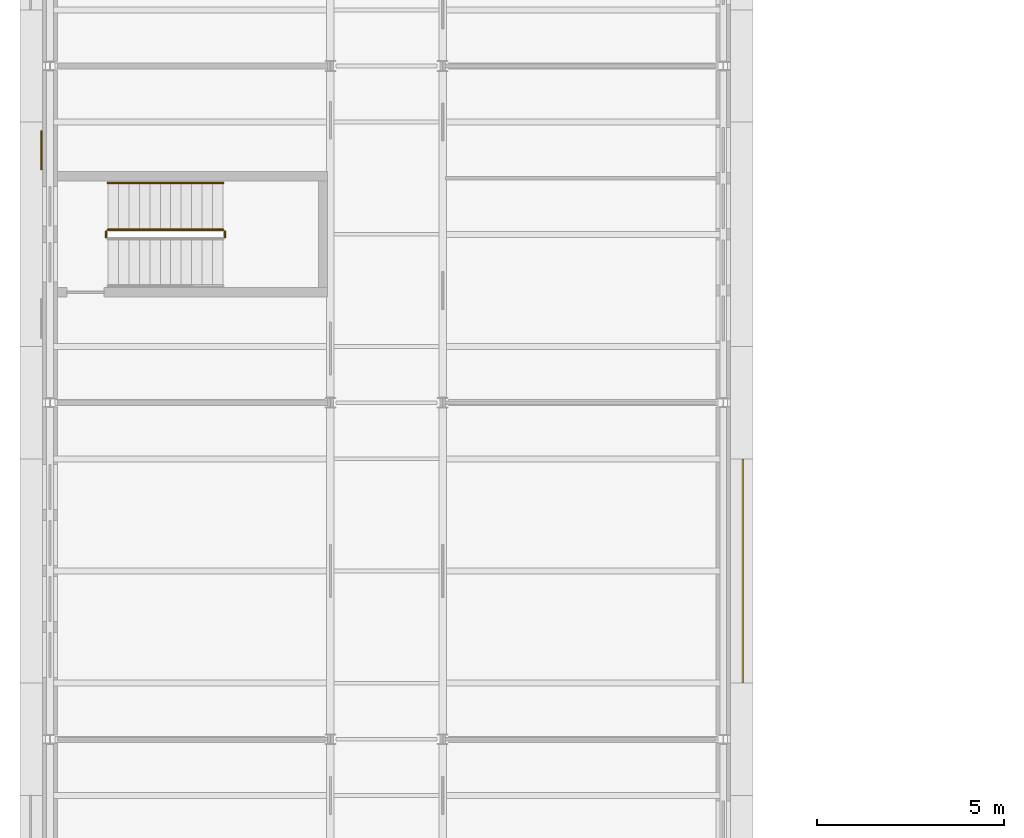
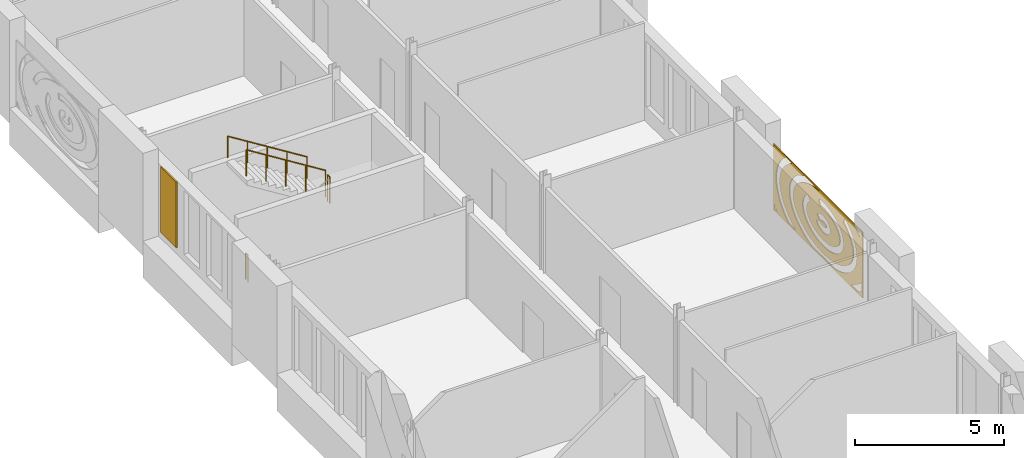
# One storey, part 115 of 121: 4 railings, 2 coverings.
"""IFC4 building model written with IfcOpenShell, lengths in metres."""

from ifc_helpers import new_model, si_unit, direction, frame, origin, origin_2d, place, context, subcontext, project, spatial, polyline, circle, outline, extrude, material, layer, layer_set, type_object, element, save


model = new_model("IFC4")

# Units and contexts
model_context = context("Model", 3, precision=1e-05, world=origin(), true_north=direction((0.0, 1.0)))
body_context = subcontext(model_context, "Body", "Model", "MODEL_VIEW")
ifc_project = project(units=[si_unit("LENGTHUNIT", "METRE"), si_unit("AREAUNIT", "SQUARE_METRE"), si_unit("VOLUMEUNIT", "CUBIC_METRE"), si_unit("PLANEANGLEUNIT", "RADIAN"), si_unit("MASSUNIT", "GRAM", prefix="KILO")], contexts=[model_context])

# Site, building, storey
site_placement = place(None, origin())
site = spatial("IfcSite", under=ifc_project, at=site_placement, CompositionType="ELEMENT")
building_placement = place(site_placement, origin())
building = spatial("IfcBuilding", under=site, at=building_placement, Name="Golden Quay Civic Hall", CompositionType="ELEMENT")
storey_placement = place(building_placement, frame((0.0, 0.0, 18.60009765625)))
storey = spatial("IfcBuildingStorey", under=building, at=storey_placement, Name="L04", CompositionType="ELEMENT", Elevation=18.60009765625)

# Covering
ifc_material_1 = material(Name="Aluminium, golden anodised, perforated", Category="aluminium")
ifc_layer_1 = layer(ifc_material_1, 0.0400390625)
ifc_layer_set_1 = layer_set([ifc_layer_1], Name="Perforated screen panel 6000 x 2700 x 40")
covering_type_1 = type_object("IfcCoveringType", Name="Perforated screen panel 6000 x 2700 x 40", PredefinedType="CLADDING", material=ifc_layer_set_1)
covering_1_placement = place(storey_placement, frame((18.5, 22.5, 1.949951171875), z_axis=(1.0, 0.0, 0.0), x_axis=(0.0, 1.0, 0.0)))
element("IfcCovering", 1, at=covering_1_placement, inside=storey, type_object=covering_type_1, Name="Perforated screen panel 6000 x 2700 x 40 L04 5", PredefinedType="CLADDING", context=body_context, shape_type="SweptSolid", body=[
    extrude(outline(polyline([(-3.0, -1.35009765625), (3.0, -1.35009765625), (3.0, 1.35009765625), (-3.0, 1.35009765625), (-3.0, -1.35009765625)]), holes=[polyline([(-0.14599609375, 0.114013671875), (-0.1875, 0.140625), (-0.248291015625, 0.16259765625), (-0.321533203125, 0.173828125), (-0.372802734375, 0.17431640625), (-0.446533203125, 0.163818359375), (-0.5087890625, 0.142578125), (-0.5517578125, 0.1162109375), (-0.575439453125, 0.088134765625), (-0.577392578125, 0.07763671875), (-0.57177734375, 0.065185546875), (-0.55908203125, 0.050537109375), (-0.53662109375, 0.03271484375), (-0.485107421875, 0.007568359375), (-0.4169921875, -0.009521484375), (-0.36669921875, -0.014404296875), (-0.3154296875, -0.013427734375), (-0.26611328125, -0.006591796875), (-0.22119140625, 0.00537109375), (-0.183349609375, 0.021240234375), (-0.154296875, 0.0390625), (-0.129638671875, 0.063232421875), (-0.120361328125, 0.08154296875), (0.102294921875, -0.019287109375), (0.07421875, -0.07177734375), (0.042236328125, -0.11181640625), (-0.00390625, -0.153564453125), (-0.043701171875, -0.1806640625), (-0.1025390625, -0.210693359375), (-0.176025390625, -0.236083984375), (-0.2216796875, -0.246826171875), (-0.2998046875, -0.25732421875), (-0.372314453125, -0.2587890625), (-0.412109375, -0.25634765625), (-0.49755859375, -0.242919921875), (-0.564453125, -0.223388671875), (-0.599853515625, -0.209716796875), (-0.666015625, -0.174560546875), (-0.705078125, -0.146484375), (-0.7333984375, -0.12109375), (-0.758544921875, -0.093017578125), (-0.780517578125, -0.06201171875), (-0.798583984375, -0.0283203125), (-0.811767578125, 0.008056640625), (-0.821533203125, 0.066162109375), (-0.818359375, 0.123046875), (-0.809326171875, 0.159912109375), (-0.79541015625, 0.195068359375), (-0.777099609375, 0.227294921875), (-0.75537109375, 0.257080078125), (-0.702880859375, 0.30810546875), (-0.6416015625, 0.34912109375), (-0.572998046875, 0.38037109375), (-0.4990234375, 0.402587890625), (-0.460693359375, 0.41015625), (-0.388916015625, 0.41796875), (-0.309326171875, 0.41796875), (-0.262451171875, 0.41357421875), (-0.184814453125, 0.398681640625), (-0.118896484375, 0.37744140625), (-0.075927734375, 0.3583984375), (-0.02001953125, 0.3251953125), (0.018310546875, 0.295166015625), (0.060546875, 0.25048828125), (-0.126220703125, 0.0927734375), (-0.14599609375, 0.114013671875)]), polyline([(-0.282470703125, 0.731689453125), (-0.37158203125, 0.732666015625), (-0.460693359375, 0.7294921875), (-0.548828125, 0.72216796875), (-0.635986328125, 0.710693359375), (-0.720947265625, 0.6953125), (-0.8037109375, 0.676025390625), (-0.883544921875, 0.653076171875), (-0.9599609375, 0.62646484375), (-1.0322265625, 0.596435546875), (-1.100341796875, 0.5634765625), (-1.163330078125, 0.52783203125), (-1.22119140625, 0.48974609375), (-1.273681640625, 0.449462890625), (-1.320068359375, 0.40771484375), (-1.360595703125, 0.364501953125), (-1.394775390625, 0.32080078125), (-1.423095703125, 0.2763671875), (-1.445068359375, 0.231689453125), (-1.46142578125, 0.1875), (-1.471923828125, 0.143310546875), (-1.47705078125, 0.099365234375), (-1.476806640625, 0.055419921875), (-1.470947265625, 0.011474609375), (-1.459716796875, -0.03271484375), (-1.44287109375, -0.0771484375), (-1.419921875, -0.12158203125), (-1.39111328125, -0.166015625), (-1.356201171875, -0.209716796875), (-1.31494140625, -0.252685546875), (-1.267578125, -0.294189453125), (-1.214599609375, -0.334228515625), (-1.15625, -0.372314453125), (-1.092529296875, -0.40771484375), (-1.02392578125, -0.440185546875), (-0.951171875, -0.4697265625), (-0.874267578125, -0.49609375), (-0.794189453125, -0.5185546875), (-0.711181640625, -0.53759765625), (-0.625732421875, -0.552490234375), (-0.53857421875, -0.563232421875), (-0.4501953125, -0.570068359375), (-0.361083984375, -0.57275390625), (-0.27197265625, -0.5712890625), (-0.183349609375, -0.5654296875), (-0.095703125, -0.555419921875), (-0.010009765625, -0.54150390625), (0.07373046875, -0.523681640625), (0.15478515625, -0.501953125), (0.232421875, -0.4765625), (0.306396484375, -0.447998046875), (0.3759765625, -0.416015625), (0.44091796875, -0.381103515625), (0.500732421875, -0.343994140625), (0.55517578125, -0.304443359375), (0.603759765625, -0.26318359375), (0.646484375, -0.220458984375), (0.68310546875, -0.1767578125), (0.71337890625, -0.132568359375), (0.73779296875, -0.088134765625), (0.756103515625, -0.043701171875), (0.768798828125, 0.00048828125), (0.77587890625, 0.04443359375), (0.777587890625, 0.08837890625), (0.773681640625, 0.13232421875), (0.764404296875, 0.176513671875), (0.749755859375, 0.220703125), (0.72900390625, 0.265380859375), (0.702392578125, 0.309814453125), (0.669677734375, 0.353759765625), (0.630615234375, 0.39697265625), (0.585693359375, 0.439208984375), (0.53125, 0.482666015625), (0.683837890625, 0.673583984375), (0.741943359375, 0.627197265625), (0.8017578125, 0.57177734375), (0.855224609375, 0.512939453125), (0.902099609375, 0.45068359375), (0.94189453125, 0.385498046875), (0.974365234375, 0.317626953125), (0.99853515625, 0.247314453125), (1.014404296875, 0.175048828125), (1.021484375, 0.101806640625), (1.019775390625, 0.02783203125), (1.0087890625, -0.04541015625), (0.9892578125, -0.117431640625), (0.9609375, -0.187744140625), (0.9248046875, -0.25537109375), (0.881103515625, -0.320068359375), (0.830322265625, -0.381591796875), (0.765625, -0.4462890625), (0.702392578125, -0.49951171875), (0.640869140625, -0.544189453125), (0.559814453125, -0.5947265625), (0.481201171875, -0.63671875), (0.398193359375, -0.67431640625), (0.311279296875, -0.7080078125), (0.227294921875, -0.7353515625), (0.1279296875, -0.761962890625), (0.0322265625, -0.7822265625), (-0.0654296875, -0.798095703125), (-0.16455078125, -0.80908203125), (-0.264892578125, -0.8154296875), (-0.359619140625, -0.817138671875), (-0.460205078125, -0.814208984375), (-0.56005859375, -0.806884765625), (-0.658935546875, -0.79443359375), (-0.76220703125, -0.776611328125), (-0.851318359375, -0.756103515625), (-0.94384765625, -0.730224609375), (-1.033203125, -0.699951171875), (-1.119140625, -0.665283203125), (-1.2080078125, -0.623046875), (-1.278564453125, -0.583740234375), (-1.351318359375, -0.537109375), (-1.426025390625, -0.480712890625), (-1.48046875, -0.4326171875), (-1.536376953125, -0.374755859375), (-1.585693359375, -0.31396484375), (-1.628173828125, -0.249755859375), (-1.663330078125, -0.182861328125), (-1.690673828125, -0.11328125), (-1.709716796875, -0.041748046875), (-1.72021484375, 0.031494140625), (-1.720703125, 0.1201171875), (-1.71142578125, 0.193115234375), (-1.697509765625, 0.251220703125), (-1.67236328125, 0.322265625), (-1.638916015625, 0.390869140625), (-1.597900390625, 0.456787109375), (-1.5498046875, 0.519287109375), (-1.494873046875, 0.57861328125), (-1.43359375, 0.63427734375), (-1.359619140625, 0.69140625), (-1.287353515625, 0.738525390625), (-1.21044921875, 0.78173828125), (-1.12890625, 0.821044921875), (-1.043701171875, 0.856201171875), (-0.95458984375, 0.886962890625), (-0.8623046875, 0.913330078125), (-0.767578125, 0.935302734375), (-0.670654296875, 0.952880859375), (-0.572021484375, 0.965576171875), (-0.477783203125, 0.973388671875), (-0.377197265625, 0.97705078125), (-0.276611328125, 0.975830078125), (-0.176513671875, 0.97021484375), (-0.0771484375, 0.959716796875), (-0.103271484375, 0.716552734375), (-0.19384765625, 0.726318359375), (-0.282470703125, 0.731689453125)]), polyline([(-1.8857421875, 0.8662109375), (-1.9677734375, 0.805419921875), (-2.04248046875, 0.741943359375), (-2.110107421875, 0.676025390625), (-2.17041015625, 0.6083984375), (-2.222900390625, 0.539306640625), (-2.267822265625, 0.46875), (-2.304931640625, 0.3974609375), (-2.33447265625, 0.32568359375), (-2.356201171875, 0.25341796875), (-2.370361328125, 0.180908203125), (-2.377197265625, 0.1083984375), (-2.376220703125, 0.035888671875), (-2.367919921875, -0.03662109375), (-2.35205078125, -0.109130859375), (-2.32861328125, -0.181396484375), (-2.297607421875, -0.2529296875), (-2.2587890625, -0.32421875), (-2.212158203125, -0.394287109375), (-2.157958984375, -0.46337890625), (-2.09619140625, -0.530517578125), (-2.02685546875, -0.595947265625), (-1.950439453125, -0.65869140625), (-1.8671875, -0.718994140625), (-1.777099609375, -0.776123046875), (-1.68115234375, -0.829833984375), (-1.5791015625, -0.8798828125), (-1.471923828125, -0.92578125), (-1.359619140625, -0.9677734375), (-1.2431640625, -1.00537109375), (-1.12255859375, -1.0380859375), (-0.998779296875, -1.066162109375), (-0.8720703125, -1.08935546875), (-0.7431640625, -1.107421875), (-0.612548828125, -1.120361328125), (-0.480712890625, -1.128173828125), (-0.348388671875, -1.130859375), (-0.216064453125, -1.128173828125), (-0.084228515625, -1.1201171875), (0.04638671875, -1.107177734375), (0.17529296875, -1.0888671875), (0.302001953125, -1.065673828125), (0.42578125, -1.037353515625), (0.546142578125, -1.00439453125), (0.66259765625, -0.966796875), (0.774658203125, -0.9248046875), (0.8818359375, -0.878662109375), (0.9833984375, -0.82861328125), (1.07958984375, -0.774658203125), (1.169189453125, -0.717529296875), (1.25244140625, -0.6572265625), (1.32861328125, -0.59423828125), (1.397705078125, -0.52880859375), (1.45947265625, -0.461669921875), (1.513427734375, -0.392578125), (1.559814453125, -0.322509765625), (1.598388671875, -0.251220703125), (1.62939453125, -0.179443359375), (1.652587890625, -0.107421875), (1.668212890625, -0.034912109375), (1.676513671875, 0.03759765625), (1.677001953125, 0.110107421875), (1.670166015625, 0.1826171875), (1.65576171875, 0.255126953125), (1.6337890625, 0.327392578125), (1.604248046875, 0.3994140625), (1.56689453125, 0.470458984375), (1.521728515625, 0.541015625), (1.468994140625, 0.610107421875), (1.40869140625, 0.677734375), (1.3408203125, 0.743408203125), (1.265625, 0.806884765625), (1.18359375, 0.86767578125), (1.094970703125, 0.92529296875), (1.0, 0.979736328125), (0.899169921875, 1.030517578125), (0.79296875, 1.077392578125), (0.681640625, 1.1201171875), (0.56591796875, 1.158447265625), (0.446044921875, 1.192138671875), (0.322998046875, 1.22119140625), (0.19677734375, 1.245361328125), (0.068115234375, 1.264404296875), (-0.062255859375, 1.2783203125), (-0.19384765625, 1.287109375), (-0.300537109375, 1.2900390625), (0.91650390625, 1.2900390625), (1.00634765625, 1.250244140625), (1.11865234375, 1.193359375), (1.219482421875, 1.1357421875), (1.320068359375, 1.0703125), (1.414306640625, 1.0009765625), (1.501708984375, 0.927490234375), (1.581787109375, 0.85009765625), (1.654541015625, 0.769287109375), (1.71923828125, 0.685302734375), (1.775634765625, 0.597900390625), (1.827880859375, 0.49755859375), (1.862060546875, 0.4150390625), (1.891357421875, 0.3203125), (1.9111328125, 0.22412109375), (1.9208984375, 0.126953125), (1.919921875, 0.0166015625), (1.908447265625, -0.080322265625), (1.88720703125, -0.176513671875), (1.856201171875, -0.270751953125), (1.82080078125, -0.35302734375), (1.7666015625, -0.45263671875), (1.708984375, -0.53955078125), (1.642822265625, -0.623291015625), (1.56884765625, -0.70361328125), (1.49365234375, -0.774658203125), (1.39892578125, -0.852783203125), (1.3037109375, -0.921630859375), (1.2021484375, -0.986083984375), (1.094482421875, -1.04638671875), (0.981201171875, -1.101806640625), (0.863037109375, -1.152587890625), (0.740234375, -1.198486328125), (0.61328125, -1.239501953125), (0.4169921875, -1.2900390625), (-1.1171875, -1.2900390625), (-1.31005859375, -1.240478515625), (-1.437255859375, -1.19970703125), (-1.56005859375, -1.15380859375), (-1.678466796875, -1.103271484375), (-1.791748046875, -1.0478515625), (-1.8994140625, -0.98779296875), (-2.001220703125, -0.92333984375), (-2.0966796875, -0.854736328125), (-2.185302734375, -0.781982421875), (-2.26708984375, -0.705322265625), (-2.341064453125, -0.625244140625), (-2.4130859375, -0.53369140625), (-2.46533203125, -0.454833984375), (-2.514892578125, -0.365234375), (-2.555419921875, -0.273193359375), (-2.58642578125, -0.1787109375), (-2.610107421875, -0.070556640625), (-2.62060546875, 0.02685546875), (-2.62109375, 0.12451171875), (-2.611328125, 0.2216796875), (-2.592041015625, 0.318115234375), (-2.56298828125, 0.41259765625), (-2.5244140625, 0.50537109375), (-2.476806640625, 0.595703125), (-2.426513671875, 0.6748046875), (-2.356201171875, 0.767333984375), (-2.28369140625, 0.848388671875), (-2.203857421875, 0.925537109375), (-2.11669921875, 0.999267578125), (-2.0224609375, 1.068603515625), (-1.922119140625, 1.134033203125), (-1.8212890625, 1.19189453125), (-1.69970703125, 0.97998046875), (-1.79736328125, 0.923828125), (-1.8857421875, 0.8662109375)]), polyline([(-2.93994140625, -0.73876953125), (-2.83935546875, -0.84619140625), (-2.750732421875, -0.927490234375), (-2.65478515625, -1.00634765625), (-2.55126953125, -1.081787109375), (-2.44091796875, -1.154052734375), (-2.32373046875, -1.22265625), (-2.19482421875, -1.2900390625), (-2.6796875, -1.2900390625), (-2.69287109375, -1.281005859375), (-2.806884765625, -1.197509765625), (-2.93994140625, -1.085693359375), (-2.93994140625, -0.73876953125)]), polyline([(1.564697265625, -1.254638671875), (1.684814453125, -1.187744140625), (1.798583984375, -1.1171875), (1.905517578125, -1.043212890625), (2.005126953125, -0.966064453125), (2.097412109375, -0.885986328125), (2.18212890625, -0.80322265625), (2.2587890625, -0.718017578125), (2.327392578125, -0.631103515625), (2.387939453125, -0.542236328125), (2.43994140625, -0.4521484375), (2.48388671875, -0.361083984375), (2.519287109375, -0.268798828125), (2.546142578125, -0.176513671875), (2.56494140625, -0.08349609375), (2.5751953125, 0.010009765625), (2.577392578125, 0.103271484375), (2.5712890625, 0.196533203125), (2.556640625, 0.28955078125), (2.533935546875, 0.38232421875), (2.502685546875, 0.474853515625), (2.463134765625, 0.56640625), (2.4150390625, 0.656982421875), (2.35888671875, 0.74658203125), (2.294189453125, 0.83447265625), (2.2216796875, 0.920654296875), (2.14111328125, 1.004638671875), (2.052490234375, 1.086181640625), (1.95654296875, 1.164794921875), (1.853271484375, 1.240478515625), (1.77783203125, 1.2900390625), (2.189208984375, 1.2900390625), (2.314697265625, 1.176513671875), (2.406005859375, 1.081298828125), (2.489013671875, 0.982421875), (2.55859375, 0.8876953125), (2.62451171875, 0.783203125), (2.681396484375, 0.676513671875), (2.72900390625, 0.567138671875), (2.76708984375, 0.455810546875), (2.79541015625, 0.343017578125), (2.814697265625, 0.218017578125), (2.822021484375, 0.103271484375), (2.81884765625, -0.01171875), (2.8056640625, -0.126220703125), (2.784912109375, -0.229736328125), (2.75244140625, -0.34228515625), (2.710205078125, -0.453369140625), (2.65380859375, -0.570556640625), (2.59228515625, -0.676025390625), (2.52197265625, -0.779052734375), (2.443115234375, -0.878662109375), (2.355712890625, -0.97509765625), (2.260498046875, -1.068115234375), (2.162841796875, -1.15283203125), (2.052490234375, -1.238525390625), (1.978515625, -1.2900390625), (1.493408203125, -1.2900390625), (1.564697265625, -1.254638671875)]), polyline([(-2.478271484375, 1.2900390625), (-2.603515625, 1.20458984375), (-2.703369140625, 1.127685546875), (-2.798583984375, 1.045166015625), (-2.93994140625, 1.208251953125), (-2.93994140625, 1.245849609375), (-2.88916015625, 1.2900390625), (-2.478271484375, 1.2900390625)]), polyline([(2.835693359375, -1.205322265625), (2.9345703125, -1.110107421875), (2.93994140625, -1.104248046875), (2.93994140625, -1.2900390625), (2.73779296875, -1.2900390625), (2.835693359375, -1.205322265625)])]), origin(), (0.0, 0.0, 1.0), 0.0400390625),
])

# Railings
ifc_material_2 = material(Name="Steel S355", Category="steel")
railing_type_1 = type_object("IfcRailingType", Name="Steel guard 1100", PredefinedType="GUARDRAIL", material=ifc_material_2)
railing_1_placement = place(storey_placement, frame((4.679931640625, 31.425048828125, 2.099853515625)))
element("IfcRailing", 2, at=railing_1_placement, inside=storey, type_object=railing_type_1, Name="L04 WO-M stair guard 2", PredefinedType="GUARDRAIL", context=body_context, shape_type="SweptSolid", body=[
    extrude(circle(Radius=0.02392578125, at=origin_2d()), frame((0.0, 0.0, 1.076171875), z_axis=(0.0, 1.0, 0.0), x_axis=(-1.0, 0.0, 0.0)), (0.0, 0.0, 1.0), 0.14990234375),
    extrude(circle(Radius=0.02099609375, at=origin_2d()), origin(), (0.0, 0.0, 1.0), 1.052001953125),
    extrude(circle(Radius=0.02099609375, at=origin_2d()), frame((0.0, 0.14990234375, 0.0)), (0.0, 0.0, 1.0), 1.052001953125),
])
railing_2_placement = place(storey_placement, frame((4.6298828125, 31.625, 2.27490234375)))
element("IfcRailing", 3, at=railing_2_placement, inside=storey, type_object=railing_type_1, Name="L04 WO-M stair guard 3", PredefinedType="GUARDRAIL", context=body_context, shape_type="SweptSolid", body=[
    extrude(circle(Radius=0.02392578125, at=origin_2d()), frame((0.0, 0.0, 1.076171875), z_axis=(-0.847979421464, 0.0, 0.530029150871), x_axis=(0.0, -1.0, 0.0)), (0.0, 0.0, 1.0), 3.632080078125),
    extrude(circle(Radius=0.02099609375, at=origin_2d()), origin(), (0.0, 0.0, 1.0), 1.052001953125),
    extrude(circle(Radius=0.02099609375, at=origin_2d()), frame((-0.77001953125, 0.0, 0.481201171875)), (0.0, 0.0, 1.0), 1.052001953125),
    extrude(circle(Radius=0.02099609375, at=origin_2d()), frame((-1.5400390625, 0.0, 0.96240234375)), (0.0, 0.0, 1.0), 1.052001953125),
    extrude(circle(Radius=0.02099609375, at=origin_2d()), frame((-2.309814453125, 0.0, 1.44384765625)), (0.0, 0.0, 1.0), 1.052001953125),
    extrude(circle(Radius=0.02099609375, at=origin_2d()), frame((-3.079833984375, 0.0, 1.925048828125)), (0.0, 0.0, 1.0), 1.052001953125),
])
railing_3_placement = place(storey_placement, frame((1.5, 31.425048828125, 0.0)))
element("IfcRailing", 4, at=railing_3_placement, inside=storey, type_object=railing_type_1, Name="L04 WO-M stair guard 4", PredefinedType="GUARDRAIL", context=body_context, shape_type="SweptSolid", body=[
    extrude(circle(Radius=0.02392578125, at=origin_2d()), frame((0.0, 0.0, 1.076171875), z_axis=(0.0, 1.0, 0.0), x_axis=(-1.0, 0.0, 0.0)), (0.0, 0.0, 1.0), 0.14990234375),
    extrude(circle(Radius=0.02099609375, at=origin_2d()), origin(), (0.0, 0.0, 1.0), 1.052001953125),
    extrude(circle(Radius=0.02099609375, at=origin_2d()), frame((0.0, 0.14990234375, 0.0)), (0.0, 0.0, 1.0), 1.052001953125),
])
ifc_material_3 = material(Name="Steel S355", Category="steel")
railing_type_2 = type_object("IfcRailingType", Name="Steel handrail 900", PredefinedType="HANDRAIL", material=ifc_material_3)
railing_4_placement = place(storey_placement, frame((4.6298828125, 32.875, 2.27490234375)))
element("IfcRailing", 5, at=railing_4_placement, inside=storey, type_object=railing_type_2, Name="L04 WO-M stair handrail 2", PredefinedType="HANDRAIL", context=body_context, shape_type="SweptSolid", body=[
    extrude(circle(Radius=0.02392578125, at=origin_2d()), frame((0.0, 0.0, 0.8759765625), z_axis=(-0.847979421464, 0.0, 0.530029150871), x_axis=(0.0, -1.0, 0.0)), (0.0, 0.0, 1.0), 3.632080078125),
    extrude(circle(Radius=0.02099609375, at=origin_2d()), origin(), (0.0, 0.0, 1.0), 0.851806640625),
    extrude(circle(Radius=0.02099609375, at=origin_2d()), frame((-0.77001953125, 0.0, 0.481201171875)), (0.0, 0.0, 1.0), 0.851806640625),
    extrude(circle(Radius=0.02099609375, at=origin_2d()), frame((-1.5400390625, 0.0, 0.96240234375)), (0.0, 0.0, 1.0), 0.851806640625),
    extrude(circle(Radius=0.02099609375, at=origin_2d()), frame((-2.309814453125, 0.0, 1.44384765625)), (0.0, 0.0, 1.0), 0.851806640625),
    extrude(circle(Radius=0.02099609375, at=origin_2d()), frame((-3.079833984375, 0.0, 1.925048828125)), (0.0, 0.0, 1.0), 0.851806640625),
])

# Covering
ifc_material_4 = material(Name="Terracotta cladding, golden glaze", Category="masonry")
ifc_layer_2 = layer(ifc_material_4, 0.050048828125)
ifc_layer_set_2 = layer_set([ifc_layer_2], Name="Terracotta solid panel 1050 x 2700 x 50")
covering_type_2 = type_object("IfcCoveringType", Name="Terracotta solid panel 1050 x 2700 x 50", PredefinedType="CLADDING", material=ifc_layer_set_2)
covering_2_placement = place(storey_placement, frame((0.0, 0.0, 0.89990234375)))
element("IfcCovering", 6, at=covering_2_placement, inside=storey, type_object=covering_type_2, Name="Terracotta solid panel 1050 x 2700 x 50 L04 3", PredefinedType="CLADDING", context=body_context, shape_type="SweptSolid", body=[
    extrude(outline(polyline([(-0.199951171875, 33.22509765625), (-0.199951171875, 34.27490234375), (-0.25, 34.27490234375), (-0.25, 33.22509765625), (-0.199951171875, 33.22509765625)])), origin(), (0.0, 0.0, 1.0), 2.699951171875),
])

save(model, "model.ifc")
